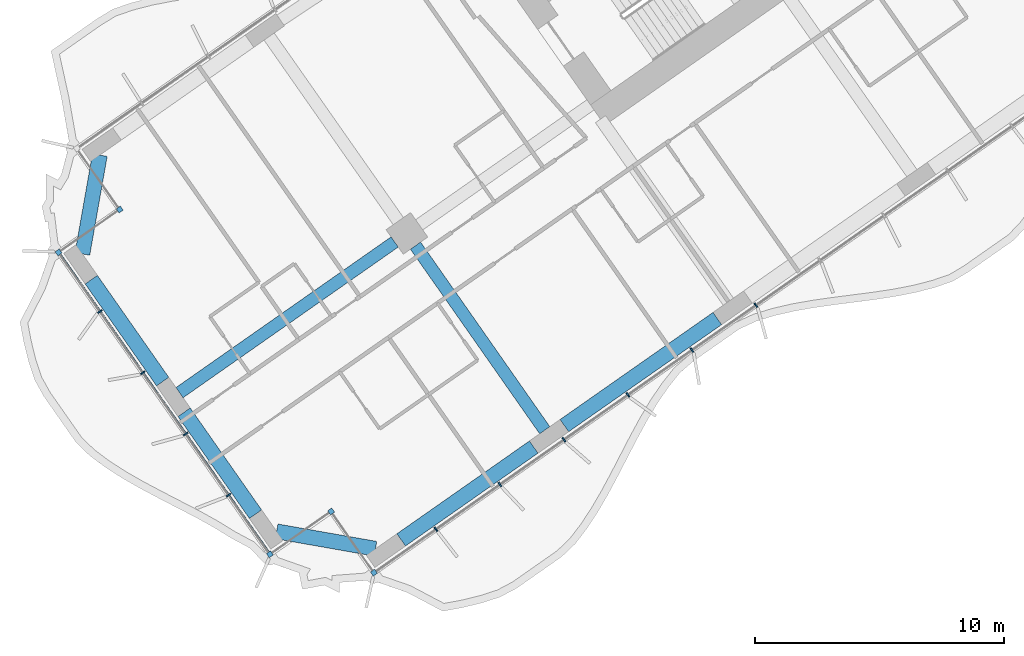
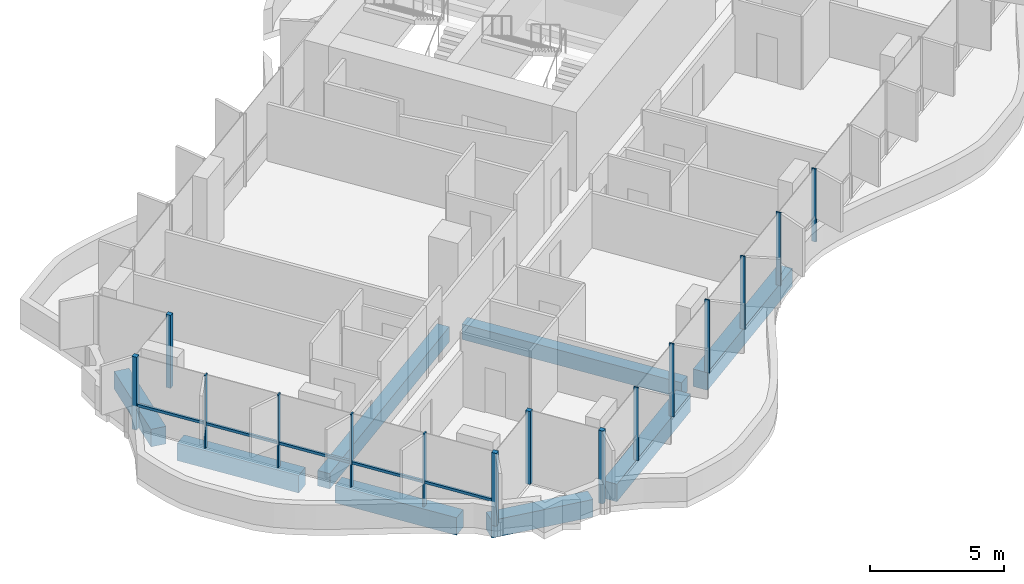
# One storey, part 2 of 23: 16 members, 8 beams, 1 element without a shape of its own.
"""IFC4 building model written with IfcOpenShell, lengths in metres."""

from ifc_helpers import new_model, si_unit, direction, frame, origin, origin_2d, place, context, subcontext, project, spatial, rectangle, extrude, material, material_profile, profile_set, type_object, element, aggregate, save


model = new_model("IFC4")

# Units and contexts
model_context = context("Model", 3, precision=1e-05, world=origin(), true_north=direction((0.0, 1.0)))
body_context = subcontext(model_context, "Body", "Model", "MODEL_VIEW")
ifc_project = project(units=[si_unit("LENGTHUNIT", "METRE"), si_unit("AREAUNIT", "SQUARE_METRE"), si_unit("VOLUMEUNIT", "CUBIC_METRE"), si_unit("PLANEANGLEUNIT", "RADIAN"), si_unit("MASSUNIT", "GRAM", prefix="KILO")], contexts=[model_context])

# Site, building, storey
site_placement = place(None, origin())
site = spatial("IfcSite", under=ifc_project, at=site_placement, CompositionType="ELEMENT")
building_placement = place(site_placement, origin())
building = spatial("IfcBuilding", under=site, at=building_placement, Name="Tel Ilan Convention Tower", CompositionType="ELEMENT")
storey_placement = place(building_placement, frame((0.0, 0.0, 79.699951171875)))
storey = spatial("IfcBuildingStorey", under=building, at=storey_placement, Name="L15", CompositionType="ELEMENT", Elevation=79.699951171875)

# Beams
ifc_material_1 = material(Name="Concrete C40/50", Category="concrete")
ifc_material_profile_1 = material_profile(ifc_material_1, rectangle(XDim=0.5, YDim=0.699951171875, at=origin_2d()), Name="RC 500x700")
ifc_profile_set_1 = profile_set([ifc_material_profile_1], Name="Concrete C40/50")
beam_type_1 = type_object("IfcBeamType", Name="Beam RC 500x700 Concrete C40/50", PredefinedType="BEAM", material=ifc_profile_set_1)
beam_1_placement = place(storey_placement, frame((-29.98095703125, -20.992919921875, -0.6298828125), z_axis=(-0.819151461915, -0.573577268067, 0.0), x_axis=(0.573577268067, -0.819151461915, 0.0)))
element("IfcBeam", 1, at=beam_1_placement, inside=storey, type_object=beam_type_1, Name="L15 beam W-W-M4-end", PredefinedType="BEAM", context=body_context, shape_type="SweptSolid", body=[
    extrude(rectangle(XDim=0.5, YDim=0.699951171875, at=origin_2d()), origin(), (0.0, 0.0, 1.0), 10.550048828125),
])
beam_2_placement = place(storey_placement, frame((-29.145263671875, -21.14013671875, -0.6298828125), z_axis=(0.573549245583, -0.819171082798, 0.0), x_axis=(0.819171082798, 0.573549245583, 0.0)))
element("IfcBeam", 2, at=beam_2_placement, inside=storey, type_object=beam_type_1, Name="L15 beam W-W-M4-W-F4", PredefinedType="BEAM", context=body_context, shape_type="SweptSolid", body=[
    extrude(rectangle(XDim=0.5, YDim=0.699951171875, at=origin_2d()), origin(), (0.0, 0.0, 1.0), 9.050048828125),
])
ifc_material_2 = material(Name="Concrete C40/50", Category="concrete")
ifc_material_profile_2 = material_profile(ifc_material_2, rectangle(XDim=0.60009765625, YDim=0.800048828125, at=origin_2d()), Name="RC 600x800")
ifc_profile_set_2 = profile_set([ifc_material_profile_2], Name="Concrete C40/50")
beam_type_2 = type_object("IfcBeamType", Name="Beam RC 600x800 Concrete C40/50", PredefinedType="BEAM", material=ifc_profile_set_2)
beam_3_placement = place(storey_placement, frame((-17.0244140625, -24.0673828125, -0.679931640625), z_axis=(-0.81915238829, -0.573575945067, 0.0), x_axis=(0.573575945067, -0.81915238829, 0.0)))
element("IfcBeam", 3, at=beam_3_placement, inside=storey, type_object=beam_type_2, Name="L15 beam W-W-F3-W-F4", PredefinedType="BEAM", context=body_context, shape_type="SweptSolid", body=[
    extrude(rectangle(XDim=0.60009765625, YDim=0.800048828125, at=origin_2d()), origin(), (0.0, 0.0, 1.0), 7.5),
])
beam_4_placement = place(storey_placement, frame((-24.396728515625, -29.2294921875, -0.679931640625), z_axis=(-0.819148977158, -0.573580816643, 0.0), x_axis=(0.573580816643, -0.819148977158, 0.0)))
element("IfcBeam", 4, at=beam_4_placement, inside=storey, type_object=beam_type_2, Name="L15 beam W-W-F4-W-FC", PredefinedType="BEAM", context=body_context, shape_type="SweptSolid", body=[
    extrude(rectangle(XDim=0.60009765625, YDim=0.800048828125, at=origin_2d()), origin(), (0.0, 0.0, 1.0), 6.5),
])
beam_5_placement = place(storey_placement, frame((-30.75341796875, -33.314208984375, -0.679931640625), z_axis=(-0.984815252405, 0.173605641124, 0.0), x_axis=(-0.173605641124, -0.984815252405, 0.0)))
element("IfcBeam", 5, at=beam_5_placement, inside=storey, type_object=beam_type_2, Name="L15 beam W-W-FC-W-E1", PredefinedType="BEAM", context=body_context, shape_type="SweptSolid", body=[
    extrude(rectangle(XDim=0.60009765625, YDim=0.800048828125, at=origin_2d()), origin(), (0.0, 0.0, 1.0), 4.030517578125),
])
for number, where, z_axis, x_axis, name in (
    (6, (-35.57080078125, -31.92626953125, -0.679931640625), (-0.573586866468, 0.819144740944, 0.0), (-0.819144740944, -0.573586866468, 0.0), "L15 beam W-W-E1-W-E2"),
    (7, (-39.298828125, -26.601806640625, -0.679931640625), (-0.573586866468, 0.819144740944, 0.0), (-0.819144740944, -0.573586866468, 0.0), "L15 beam W-W-E2-W-E3"),
):
    element("IfcBeam", number, at=place(storey_placement, frame(where, z_axis=z_axis, x_axis=x_axis)), inside=storey, type_object=beam_type_2, Name=name, PredefinedType="BEAM", context=body_context, shape_type="SweptSolid", body=[
        extrude(rectangle(XDim=0.60009765625, YDim=0.800048828125, at=origin_2d()), origin(), (0.0, 0.0, 1.0), 5.0),
    ])
beam_6_placement = place(storey_placement, frame((-42.523193359375, -21.473876953125, -0.679931640625), z_axis=(0.173605641124, 0.984815252405, 0.0), x_axis=(-0.984815252405, 0.173605641124, 0.0)))
element("IfcBeam", 8, at=beam_6_placement, inside=storey, type_object=beam_type_2, Name="L15 beam W-W-E3-W-BC", PredefinedType="BEAM", context=body_context, shape_type="SweptSolid", body=[
    extrude(rectangle(XDim=0.60009765625, YDim=0.800048828125, at=origin_2d()), origin(), (0.0, 0.0, 1.0), 4.030517578125),
])

# Curtain wall, members
ifc_material_3 = material(Name="Aluminium, bronze anodised", Category="aluminium")
curtain_wall_type = type_object("IfcCurtainWallType", Name="CW1 UNITISED CURTAIN WALL, HOTEL TINTED GLASS", PredefinedType="NOTDEFINED", material=ifc_material_3)
curtain_wall_placement = place(storey_placement, origin())
curtain_wall = element("IfcCurtainWall", 9, at=curtain_wall_placement, inside=storey, type_object=curtain_wall_type, Name="Curtain wall CW1-15.02", PredefinedType="NOTDEFINED")
ifc_material_4 = material(Name="Aluminium, bronze anodised", Category="aluminium")
ifc_material_profile_3 = material_profile(ifc_material_4, rectangle(XDim=0.199951171875, YDim=0.199951171875, at=origin_2d()), Name="CW CORNER MULLION 200x200")
ifc_profile_set_3 = profile_set([ifc_material_profile_3], Name="Aluminium, bronze anodised")
member_type_1 = type_object("IfcMemberType", Name="CW CORNER MULLION 200x200", PredefinedType="MULLION", material=ifc_profile_set_3)
member_1_placement = place(storey_placement, frame((-41.0244140625, -19.69189453125, 0.0), z_axis=(0.0, 0.0, 1.0), x_axis=(0.573576436351, -0.819152044289, 0.0)))
member_1 = element("IfcMember", 10, at=member_1_placement, type_object=member_type_1, Name="Corner mullion", PredefinedType="MULLION", context=body_context, shape_type="SweptSolid", body=[
    extrude(rectangle(XDim=0.199951171875, YDim=0.199951171875, at=origin_2d()), origin(), (0.0, 0.0, 1.0), 3.320068359375),
])
member_2_placement = place(storey_placement, frame((-43.48193359375, -21.41259765625, 0.0), z_axis=(0.0, 0.0, 1.0), x_axis=(-0.819152044289, -0.573576436351, 0.0)))
member_2 = element("IfcMember", 11, at=member_2_placement, type_object=member_type_1, Name="Corner mullion", PredefinedType="MULLION", context=body_context, shape_type="SweptSolid", body=[
    extrude(rectangle(XDim=0.199951171875, YDim=0.199951171875, at=origin_2d()), origin(), (0.0, 0.0, 1.0), 3.320068359375),
])
member_3_placement = place(storey_placement, frame((-34.992919921875, -33.5361328125, 0.0), z_axis=(0.0, 0.0, 1.0), x_axis=(0.573576436351, -0.819152044289, 0.0)))
member_3 = element("IfcMember", 12, at=member_3_placement, type_object=member_type_1, Name="Corner mullion", PredefinedType="MULLION", context=body_context, shape_type="SweptSolid", body=[
    extrude(rectangle(XDim=0.199951171875, YDim=0.199951171875, at=origin_2d()), origin(), (0.0, 0.0, 1.0), 3.320068359375),
])
member_4_placement = place(storey_placement, frame((-32.535400390625, -31.815185546875, 0.0), z_axis=(0.0, 0.0, 1.0), x_axis=(0.819152044289, 0.573576436351, 0.0)))
member_4 = element("IfcMember", 13, at=member_4_placement, type_object=member_type_1, Name="Corner mullion", PredefinedType="MULLION", context=body_context, shape_type="SweptSolid", body=[
    extrude(rectangle(XDim=0.199951171875, YDim=0.199951171875, at=origin_2d()), origin(), (0.0, 0.0, 1.0), 3.320068359375),
])
member_5_placement = place(storey_placement, frame((-30.814697265625, -34.272705078125, 0.0), z_axis=(0.0, 0.0, 1.0), x_axis=(0.573576436351, -0.819152044289, 0.0)))
member_5 = element("IfcMember", 14, at=member_5_placement, type_object=member_type_1, Name="Corner mullion", PredefinedType="MULLION", context=body_context, shape_type="SweptSolid", body=[
    extrude(rectangle(XDim=0.199951171875, YDim=0.199951171875, at=origin_2d()), origin(), (0.0, 0.0, 1.0), 3.320068359375),
])
ifc_material_5 = material(Name="Aluminium, bronze anodised", Category="aluminium")
ifc_material_profile_4 = material_profile(ifc_material_5, rectangle(XDim=0.06005859375, YDim=0.199951171875, at=origin_2d()), Name="CW MULLION 60x200")
ifc_profile_set_4 = profile_set([ifc_material_profile_4], Name="Aluminium, bronze anodised")
member_type_2 = type_object("IfcMemberType", Name="CW MULLION 60x200", PredefinedType="MULLION", material=ifc_profile_set_4)
member_6_placement = place(storey_placement, frame((-41.818359375, -23.7880859375, 0.0), z_axis=(0.0, 0.0, 1.0), x_axis=(0.573576436351, -0.819152044289, 0.0)))
member_6 = element("IfcMember", 15, at=member_6_placement, type_object=member_type_2, Name="Mullion", PredefinedType="MULLION", context=body_context, shape_type="SweptSolid", body=[
    extrude(rectangle(XDim=0.06005859375, YDim=0.199951171875, at=origin_2d()), origin(), (0.0, 0.0, 1.0), 3.320068359375),
])
member_7_placement = place(storey_placement, frame((-40.09765625, -26.24560546875, 0.0), z_axis=(0.0, 0.0, 1.0), x_axis=(0.573576436351, -0.819152044289, 0.0)))
member_7 = element("IfcMember", 16, at=member_7_placement, type_object=member_type_2, Name="Mullion", PredefinedType="MULLION", context=body_context, shape_type="SweptSolid", body=[
    extrude(rectangle(XDim=0.06005859375, YDim=0.199951171875, at=origin_2d()), origin(), (0.0, 0.0, 1.0), 3.320068359375),
])
member_8_placement = place(storey_placement, frame((-38.376953125, -28.703125, 0.0), z_axis=(0.0, 0.0, 1.0), x_axis=(0.573576436351, -0.819152044289, 0.0)))
member_8 = element("IfcMember", 17, at=member_8_placement, type_object=member_type_2, Name="Mullion", PredefinedType="MULLION", context=body_context, shape_type="SweptSolid", body=[
    extrude(rectangle(XDim=0.06005859375, YDim=0.199951171875, at=origin_2d()), origin(), (0.0, 0.0, 1.0), 3.320068359375),
])
member_9_placement = place(storey_placement, frame((-36.65625, -31.160400390625, 0.0), z_axis=(0.0, 0.0, 1.0), x_axis=(0.573576436351, -0.819152044289, 0.0)))
member_9 = element("IfcMember", 18, at=member_9_placement, type_object=member_type_2, Name="Mullion", PredefinedType="MULLION", context=body_context, shape_type="SweptSolid", body=[
    extrude(rectangle(XDim=0.06005859375, YDim=0.199951171875, at=origin_2d()), origin(), (0.0, 0.0, 1.0), 3.320068359375),
])
member_10_placement = place(storey_placement, frame((-28.32666015625, -32.530517578125, 0.0), z_axis=(0.0, 0.0, 1.0), x_axis=(0.819152044289, 0.573576436351, 0.0)))
member_10 = element("IfcMember", 19, at=member_10_placement, type_object=member_type_2, Name="Mullion", PredefinedType="MULLION", context=body_context, shape_type="SweptSolid", body=[
    extrude(rectangle(XDim=0.06005859375, YDim=0.199951171875, at=origin_2d()), origin(), (0.0, 0.0, 1.0), 3.320068359375),
])
member_11_placement = place(storey_placement, frame((-25.7568359375, -30.731201171875, 0.0), z_axis=(0.0, 0.0, 1.0), x_axis=(0.819152044289, 0.573576436351, 0.0)))
member_11 = element("IfcMember", 20, at=member_11_placement, type_object=member_type_2, Name="Mullion", PredefinedType="MULLION", context=body_context, shape_type="SweptSolid", body=[
    extrude(rectangle(XDim=0.06005859375, YDim=0.199951171875, at=origin_2d()), origin(), (0.0, 0.0, 1.0), 3.320068359375),
])
member_12_placement = place(storey_placement, frame((-23.186767578125, -28.931640625, 0.0), z_axis=(0.0, 0.0, 1.0), x_axis=(0.819152044289, 0.573576436351, 0.0)))
member_12 = element("IfcMember", 21, at=member_12_placement, type_object=member_type_2, Name="Mullion", PredefinedType="MULLION", context=body_context, shape_type="SweptSolid", body=[
    extrude(rectangle(XDim=0.06005859375, YDim=0.199951171875, at=origin_2d()), origin(), (0.0, 0.0, 1.0), 3.320068359375),
])
member_13_placement = place(storey_placement, frame((-20.616943359375, -27.132080078125, 0.0), z_axis=(0.0, 0.0, 1.0), x_axis=(0.819152044289, 0.573576436351, 0.0)))
member_13 = element("IfcMember", 22, at=member_13_placement, type_object=member_type_2, Name="Mullion", PredefinedType="MULLION", context=body_context, shape_type="SweptSolid", body=[
    extrude(rectangle(XDim=0.06005859375, YDim=0.199951171875, at=origin_2d()), origin(), (0.0, 0.0, 1.0), 3.320068359375),
])
member_14_placement = place(storey_placement, frame((-18.046875, -25.332763671875, 0.0), z_axis=(0.0, 0.0, 1.0), x_axis=(0.819152044289, 0.573576436351, 0.0)))
member_14 = element("IfcMember", 23, at=member_14_placement, type_object=member_type_2, Name="Mullion", PredefinedType="MULLION", context=body_context, shape_type="SweptSolid", body=[
    extrude(rectangle(XDim=0.06005859375, YDim=0.199951171875, at=origin_2d()), origin(), (0.0, 0.0, 1.0), 3.320068359375),
])
member_15_placement = place(storey_placement, frame((-15.47705078125, -23.533203125, 0.0), z_axis=(0.0, 0.0, 1.0), x_axis=(0.819152044289, 0.573576436351, 0.0)))
member_15 = element("IfcMember", 24, at=member_15_placement, type_object=member_type_2, Name="Mullion", PredefinedType="MULLION", context=body_context, shape_type="SweptSolid", body=[
    extrude(rectangle(XDim=0.06005859375, YDim=0.199951171875, at=origin_2d()), origin(), (0.0, 0.0, 1.0), 3.320068359375),
])
ifc_material_6 = material(Name="Aluminium, bronze anodised", Category="aluminium")
ifc_material_profile_5 = material_profile(ifc_material_6, rectangle(XDim=0.10009765625, YDim=0.1201171875, at=origin_2d()), Name="CW TRANSOM 100x120")
ifc_profile_set_5 = profile_set([ifc_material_profile_5], Name="Aluminium, bronze anodised")
member_type_3 = type_object("IfcMemberType", Name="CW TRANSOM 100x120", PredefinedType="USERDEFINED", material=ifc_profile_set_5)
member_16_placement = place(storey_placement, frame((-43.424560546875, -21.494384765625, 1.10009765625), z_axis=(0.573575688231, -0.819152568128, 0.0), x_axis=(0.819152568128, 0.573575688231, 0.0)))
member_16 = element("IfcMember", 25, at=member_16_placement, type_object=member_type_3, Name="Transom", ObjectType="TRANSOM", PredefinedType="USERDEFINED", context=body_context, shape_type="SweptSolid", body=[
    extrude(rectangle(XDim=0.10009765625, YDim=0.1201171875, at=origin_2d()), origin(), (0.0, 0.0, 1.0), 14.60009765625),
])
aggregate(curtain_wall, [member_1, member_2, member_6, member_7, member_8, member_9, member_3, member_16, member_4, member_5, member_10, member_11, member_12, member_13, member_14, member_15])

save(model, "model.ifc")
